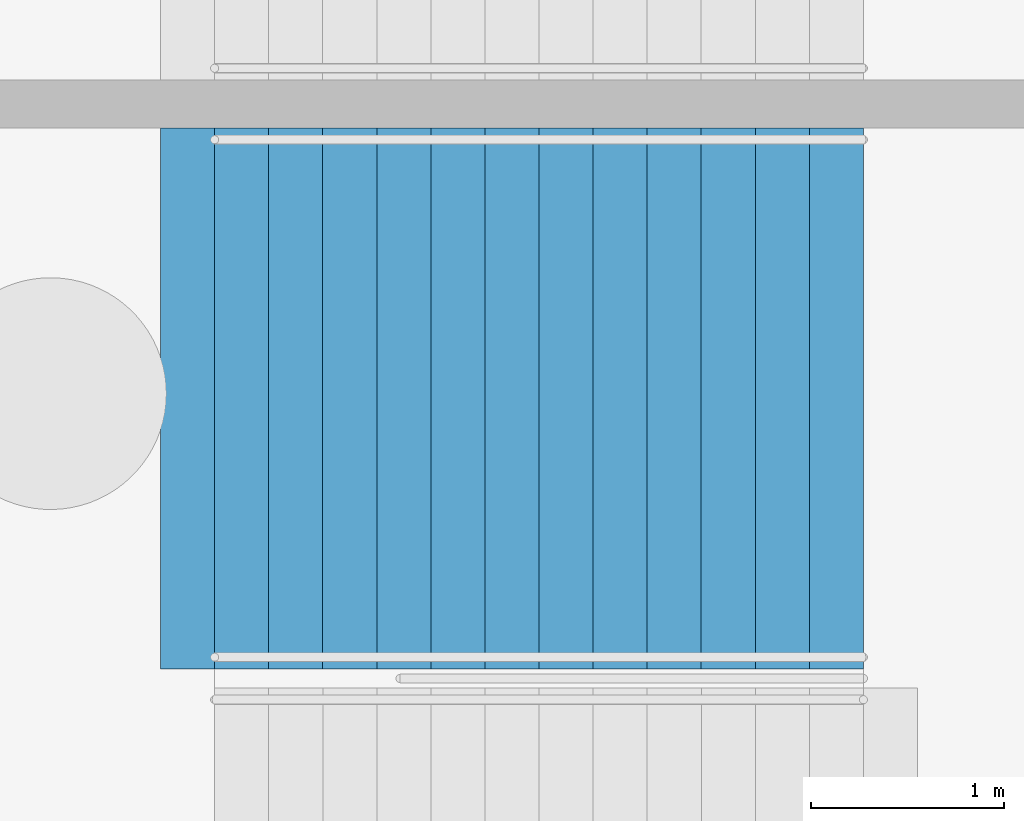
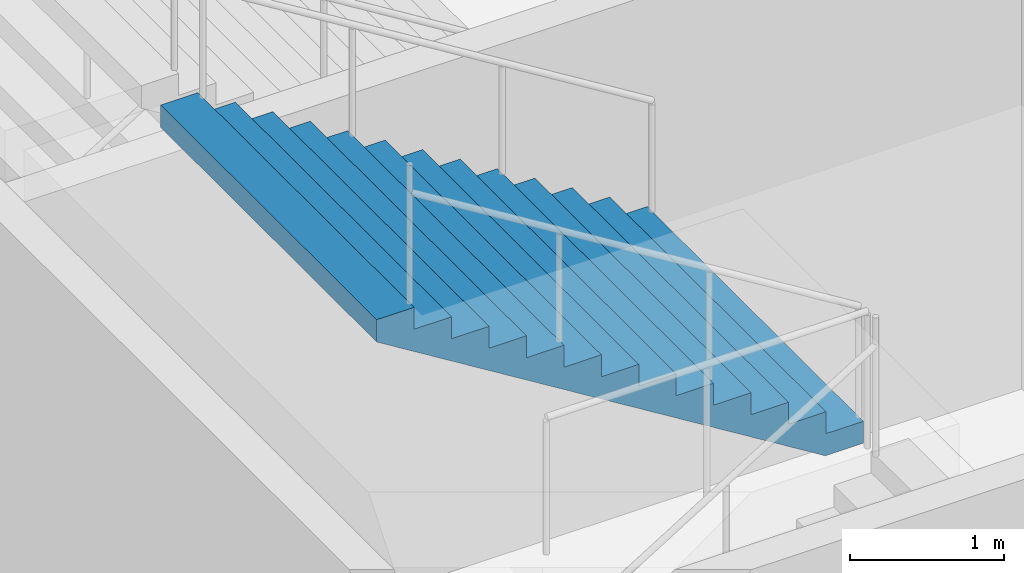
# One storey, part 107 of 115: 1 stair flight, 1 element without a shape of its own.
"""IFC4 building model written with IfcOpenShell, lengths in metres."""

from ifc_helpers import new_model, si_unit, direction, frame, origin, place, context, subcontext, project, spatial, faceted_brep, material, type_object, element, aggregate, save


model = new_model("IFC4")

# Units and contexts
model_context = context("Model", 3, precision=1e-05, world=origin(), true_north=direction((0.0, 1.0)))
body_context = subcontext(model_context, "Body", "Model", "MODEL_VIEW")
ifc_project = project(units=[si_unit("LENGTHUNIT", "METRE"), si_unit("AREAUNIT", "SQUARE_METRE"), si_unit("VOLUMEUNIT", "CUBIC_METRE"), si_unit("PLANEANGLEUNIT", "RADIAN"), si_unit("MASSUNIT", "GRAM", prefix="KILO")], contexts=[model_context])

# Site, building, storey
site_placement = place(None, origin())
site = spatial("IfcSite", under=ifc_project, at=site_placement, CompositionType="ELEMENT")
building_placement = place(site_placement, origin())
building = spatial("IfcBuilding", under=site, at=building_placement, Name="Ogive Plaza Stadium", CompositionType="ELEMENT")
storey_placement = place(building_placement, frame((0.0, 0.0, -4.5)))
storey = spatial("IfcBuildingStorey", under=building, at=storey_placement, Name="B1", CompositionType="ELEMENT", Elevation=-4.5)

# Stair, stair flight
ifc_material_1 = material(Name="Concrete C40/50", Category="concrete")
stair_type = type_object("IfcStairType", Name="Exit stair", PredefinedType="STRAIGHT_RUN_STAIR", material=ifc_material_1)
stair_placement = place(storey_placement, origin())
stair = element("IfcStair", 1, at=stair_placement, inside=storey, type_object=stair_type, Name="Exit stair ST02A B1 to L00", PredefinedType="STRAIGHT_RUN_STAIR")
ifc_material_2 = material(Name="Concrete C40/50", Category="concrete")
stair_flight_type = type_object("IfcStairFlightType", Name="Exit stair flight", PredefinedType="STRAIGHT", material=ifc_material_2)
stair_flight_placement = place(storey_placement, frame((79.7099609375, 35.97509765625, 2.25), z_axis=(0.0, 0.0, 1.0), x_axis=(-1.0, 0.0, 0.0)))
stair_flight = element("IfcStairFlight", 2, at=stair_flight_placement, type_object=stair_flight_type, Name="ST02A flight 2", NumberOfRisers=13, NumberOfTreads=12, PredefinedType="STRAIGHT", RiserHeight=0.173076923, TreadLength=0.28, context=body_context, shape_type="Brep", body=[
    faceted_brep([(0.28515625, -1.39990234375, 0.0), (3.639892578125, -1.39990234375, 2.07373046875), (3.639892578125, -1.39990234375, 2.25), (3.360107421875, -1.39990234375, 2.25), (3.360107421875, -1.39990234375, 2.076904296875), (3.080078125, -1.39990234375, 2.076904296875), (3.080078125, -1.39990234375, 1.90380859375), (2.800048828125, -1.39990234375, 1.90380859375), (2.800048828125, -1.39990234375, 1.730712890625), (2.52001953125, -1.39990234375, 1.730712890625), (2.52001953125, -1.39990234375, 1.5576171875), (2.239990234375, -1.39990234375, 1.5576171875), (2.239990234375, -1.39990234375, 1.384521484375), (1.9599609375, -1.39990234375, 1.384521484375), (1.9599609375, -1.39990234375, 1.21142578125), (1.679931640625, -1.39990234375, 1.21142578125), (1.679931640625, -1.39990234375, 1.03857421875), (1.39990234375, -1.39990234375, 1.03857421875), (1.39990234375, -1.39990234375, 0.865478515625), (1.1201171875, -1.39990234375, 0.865478515625), (1.1201171875, -1.39990234375, 0.6923828125), (0.840087890625, -1.39990234375, 0.6923828125), (0.840087890625, -1.39990234375, 0.519287109375), (0.56005859375, -1.39990234375, 0.519287109375), (0.56005859375, -1.39990234375, 0.34619140625), (0.280029296875, -1.39990234375, 0.34619140625), (0.280029296875, -1.39990234375, 0.173095703125), (0.0, -1.39990234375, 0.173095703125), (0.0, -1.39990234375, 0.0), (0.0, 1.39990234375, 0.0), (0.0, 1.39990234375, 0.173095703125), (0.280029296875, 1.39990234375, 0.173095703125), (0.280029296875, 1.39990234375, 0.34619140625), (0.56005859375, 1.39990234375, 0.34619140625), (0.56005859375, 1.39990234375, 0.519287109375), (0.840087890625, 1.39990234375, 0.519287109375), (0.840087890625, 1.39990234375, 0.6923828125), (1.1201171875, 1.39990234375, 0.6923828125), (1.1201171875, 1.39990234375, 0.865478515625), (1.39990234375, 1.39990234375, 0.865478515625), (1.39990234375, 1.39990234375, 1.03857421875), (1.679931640625, 1.39990234375, 1.03857421875), (1.679931640625, 1.39990234375, 1.21142578125), (1.9599609375, 1.39990234375, 1.21142578125), (1.9599609375, 1.39990234375, 1.384521484375), (2.239990234375, 1.39990234375, 1.384521484375), (2.239990234375, 1.39990234375, 1.5576171875), (2.52001953125, 1.39990234375, 1.5576171875), (2.52001953125, 1.39990234375, 1.730712890625), (2.800048828125, 1.39990234375, 1.730712890625), (2.800048828125, 1.39990234375, 1.90380859375), (3.080078125, 1.39990234375, 1.90380859375), (3.080078125, 1.39990234375, 2.076904296875), (3.360107421875, 1.39990234375, 2.076904296875), (3.360107421875, 1.39990234375, 2.25), (3.639892578125, 1.39990234375, 2.25), (3.639892578125, 1.39990234375, 2.07373046875), (0.28515625, 1.39990234375, 0.0), (0.28515625, -1.0888671875, 0.0), (3.639892578125, -1.0888671875, 2.07373046875), (0.28515625, -0.77783203125, 0.0), (3.639892578125, -0.77783203125, 2.07373046875), (0.28515625, -0.466796875, 0.0), (3.639892578125, -0.466796875, 2.07373046875), (0.28515625, -0.155517578125, 0.0), (3.639892578125, -0.155517578125, 2.07373046875), (0.28515625, 0.155517578125, 0.0), (3.639892578125, 0.155517578125, 2.07373046875), (0.28515625, 0.466796875, 0.0), (3.639892578125, 0.466796875, 2.07373046875), (0.28515625, 0.77783203125, 0.0), (3.639892578125, 0.77783203125, 2.07373046875), (0.28515625, 1.0888671875, 0.0), (3.639892578125, 1.0888671875, 2.07373046875), (3.639892578125, -1.0888671875, 2.25), (3.639892578125, -0.77783203125, 2.25), (3.639892578125, -0.466796875, 2.25), (3.639892578125, -0.155517578125, 2.25), (3.639892578125, 0.155517578125, 2.25), (3.639892578125, 0.466796875, 2.25), (3.639892578125, 0.77783203125, 2.25), (3.639892578125, 1.0888671875, 2.25), (3.360107421875, -1.0888671875, 2.25), (3.360107421875, -0.77783203125, 2.25), (3.360107421875, -0.466796875, 2.25), (3.360107421875, -0.155517578125, 2.25), (3.360107421875, 0.155517578125, 2.25), (3.360107421875, 0.466796875, 2.25), (3.360107421875, 0.77783203125, 2.25), (3.360107421875, 1.0888671875, 2.25), (3.360107421875, -1.0888671875, 2.076904296875), (3.360107421875, -0.77783203125, 2.076904296875), (3.360107421875, -0.466796875, 2.076904296875), (3.360107421875, -0.155517578125, 2.076904296875), (3.360107421875, 0.155517578125, 2.076904296875), (3.360107421875, 0.466796875, 2.076904296875), (3.360107421875, 0.77783203125, 2.076904296875), (3.360107421875, 1.0888671875, 2.076904296875), (3.080078125, -1.0888671875, 2.076904296875), (3.080078125, -0.77783203125, 2.076904296875), (3.080078125, -0.466796875, 2.076904296875), (3.080078125, -0.155517578125, 2.076904296875), (3.080078125, 0.155517578125, 2.076904296875), (3.080078125, 0.466796875, 2.076904296875), (3.080078125, 0.77783203125, 2.076904296875), (3.080078125, 1.0888671875, 2.076904296875), (3.080078125, -1.0888671875, 1.90380859375), (3.080078125, -0.77783203125, 1.90380859375), (3.080078125, -0.466796875, 1.90380859375), (3.080078125, -0.155517578125, 1.90380859375), (3.080078125, 0.155517578125, 1.90380859375), (3.080078125, 0.466796875, 1.90380859375), (3.080078125, 0.77783203125, 1.90380859375), (3.080078125, 1.0888671875, 1.90380859375), (2.800048828125, -1.0888671875, 1.90380859375), (2.800048828125, -0.77783203125, 1.90380859375), (2.800048828125, -0.466796875, 1.90380859375), (2.800048828125, -0.155517578125, 1.90380859375), (2.800048828125, 0.155517578125, 1.90380859375), (2.800048828125, 0.466796875, 1.90380859375), (2.800048828125, 0.77783203125, 1.90380859375), (2.800048828125, 1.0888671875, 1.90380859375), (2.800048828125, -1.0888671875, 1.730712890625), (2.800048828125, -0.77783203125, 1.730712890625), (2.800048828125, -0.466796875, 1.730712890625), (2.800048828125, -0.155517578125, 1.730712890625), (2.800048828125, 0.155517578125, 1.730712890625), (2.800048828125, 0.466796875, 1.730712890625), (2.800048828125, 0.77783203125, 1.730712890625), (2.800048828125, 1.0888671875, 1.730712890625), (2.52001953125, -1.0888671875, 1.730712890625), (2.52001953125, -0.77783203125, 1.730712890625), (2.52001953125, -0.466796875, 1.730712890625), (2.52001953125, -0.155517578125, 1.730712890625), (2.52001953125, 0.155517578125, 1.730712890625), (2.52001953125, 0.466796875, 1.730712890625), (2.52001953125, 0.77783203125, 1.730712890625), (2.52001953125, 1.0888671875, 1.730712890625), (2.52001953125, -1.0888671875, 1.5576171875), (2.52001953125, -0.77783203125, 1.5576171875), (2.52001953125, -0.466796875, 1.5576171875), (2.52001953125, -0.155517578125, 1.5576171875), (2.52001953125, 0.155517578125, 1.5576171875), (2.52001953125, 0.466796875, 1.5576171875), (2.52001953125, 0.77783203125, 1.5576171875), (2.52001953125, 1.0888671875, 1.5576171875), (2.239990234375, -1.0888671875, 1.5576171875), (2.239990234375, -0.77783203125, 1.5576171875), (2.239990234375, -0.466796875, 1.5576171875), (2.239990234375, -0.155517578125, 1.5576171875), (2.239990234375, 0.155517578125, 1.5576171875), (2.239990234375, 0.466796875, 1.5576171875), (2.239990234375, 0.77783203125, 1.5576171875), (2.239990234375, 1.0888671875, 1.5576171875), (2.239990234375, -1.0888671875, 1.384521484375), (2.239990234375, -0.77783203125, 1.384521484375), (2.239990234375, -0.466796875, 1.384521484375), (2.239990234375, -0.155517578125, 1.384521484375), (2.239990234375, 0.155517578125, 1.384521484375), (2.239990234375, 0.466796875, 1.384521484375), (2.239990234375, 0.77783203125, 1.384521484375), (2.239990234375, 1.0888671875, 1.384521484375), (1.9599609375, -1.0888671875, 1.384521484375), (1.9599609375, -0.77783203125, 1.384521484375), (1.9599609375, -0.466796875, 1.384521484375), (1.9599609375, -0.155517578125, 1.384521484375), (1.9599609375, 0.155517578125, 1.384521484375), (1.9599609375, 0.466796875, 1.384521484375), (1.9599609375, 0.77783203125, 1.384521484375), (1.9599609375, 1.0888671875, 1.384521484375), (1.9599609375, -1.0888671875, 1.21142578125), (1.9599609375, -0.77783203125, 1.21142578125), (1.9599609375, -0.466796875, 1.21142578125), (1.9599609375, -0.155517578125, 1.21142578125), (1.9599609375, 0.155517578125, 1.21142578125), (1.9599609375, 0.466796875, 1.21142578125), (1.9599609375, 0.77783203125, 1.21142578125), (1.9599609375, 1.0888671875, 1.21142578125), (1.679931640625, -1.0888671875, 1.21142578125), (1.679931640625, -0.77783203125, 1.21142578125), (1.679931640625, -0.466796875, 1.21142578125), (1.679931640625, -0.155517578125, 1.21142578125), (1.679931640625, 0.155517578125, 1.21142578125), (1.679931640625, 0.466796875, 1.21142578125), (1.679931640625, 0.77783203125, 1.21142578125), (1.679931640625, 1.0888671875, 1.21142578125), (1.679931640625, -1.0888671875, 1.03857421875), (1.679931640625, -0.77783203125, 1.03857421875), (1.679931640625, -0.466796875, 1.03857421875), (1.679931640625, -0.155517578125, 1.03857421875), (1.679931640625, 0.155517578125, 1.03857421875), (1.679931640625, 0.466796875, 1.03857421875), (1.679931640625, 0.77783203125, 1.03857421875), (1.679931640625, 1.0888671875, 1.03857421875), (1.39990234375, -1.0888671875, 1.03857421875), (1.39990234375, -0.77783203125, 1.03857421875), (1.39990234375, -0.466796875, 1.03857421875), (1.39990234375, -0.155517578125, 1.03857421875), (1.39990234375, 0.155517578125, 1.03857421875), (1.39990234375, 0.466796875, 1.03857421875), (1.39990234375, 0.77783203125, 1.03857421875), (1.39990234375, 1.0888671875, 1.03857421875), (1.39990234375, -1.0888671875, 0.865478515625), (1.39990234375, -0.77783203125, 0.865478515625), (1.39990234375, -0.466796875, 0.865478515625), (1.39990234375, -0.155517578125, 0.865478515625), (1.39990234375, 0.155517578125, 0.865478515625), (1.39990234375, 0.466796875, 0.865478515625), (1.39990234375, 0.77783203125, 0.865478515625), (1.39990234375, 1.0888671875, 0.865478515625), (1.1201171875, -1.0888671875, 0.865478515625), (1.1201171875, -0.77783203125, 0.865478515625), (1.1201171875, -0.466796875, 0.865478515625), (1.1201171875, -0.155517578125, 0.865478515625), (1.1201171875, 0.155517578125, 0.865478515625), (1.1201171875, 0.466796875, 0.865478515625), (1.1201171875, 0.77783203125, 0.865478515625), (1.1201171875, 1.0888671875, 0.865478515625), (1.1201171875, -1.0888671875, 0.6923828125), (1.1201171875, -0.77783203125, 0.6923828125), (1.1201171875, -0.466796875, 0.6923828125), (1.1201171875, -0.155517578125, 0.6923828125), (1.1201171875, 0.155517578125, 0.6923828125), (1.1201171875, 0.466796875, 0.6923828125), (1.1201171875, 0.77783203125, 0.6923828125), (1.1201171875, 1.0888671875, 0.6923828125), (0.840087890625, -1.0888671875, 0.6923828125), (0.840087890625, -0.77783203125, 0.6923828125), (0.840087890625, -0.466796875, 0.6923828125), (0.840087890625, -0.155517578125, 0.6923828125), (0.840087890625, 0.155517578125, 0.6923828125), (0.840087890625, 0.466796875, 0.6923828125), (0.840087890625, 0.77783203125, 0.6923828125), (0.840087890625, 1.0888671875, 0.6923828125), (0.840087890625, -1.0888671875, 0.519287109375), (0.840087890625, -0.77783203125, 0.519287109375), (0.840087890625, -0.466796875, 0.519287109375), (0.840087890625, -0.155517578125, 0.519287109375), (0.840087890625, 0.155517578125, 0.519287109375), (0.840087890625, 0.466796875, 0.519287109375), (0.840087890625, 0.77783203125, 0.519287109375), (0.840087890625, 1.0888671875, 0.519287109375), (0.56005859375, -1.0888671875, 0.519287109375), (0.56005859375, -0.77783203125, 0.519287109375), (0.56005859375, -0.466796875, 0.519287109375), (0.56005859375, -0.155517578125, 0.519287109375), (0.56005859375, 0.155517578125, 0.519287109375), (0.56005859375, 0.466796875, 0.519287109375), (0.56005859375, 0.77783203125, 0.519287109375), (0.56005859375, 1.0888671875, 0.519287109375), (0.56005859375, -1.0888671875, 0.34619140625), (0.56005859375, -0.77783203125, 0.34619140625), (0.56005859375, -0.466796875, 0.34619140625), (0.56005859375, -0.155517578125, 0.34619140625), (0.56005859375, 0.155517578125, 0.34619140625), (0.56005859375, 0.466796875, 0.34619140625), (0.56005859375, 0.77783203125, 0.34619140625), (0.56005859375, 1.0888671875, 0.34619140625), (0.280029296875, -1.0888671875, 0.34619140625), (0.280029296875, -0.77783203125, 0.34619140625), (0.280029296875, -0.466796875, 0.34619140625), (0.280029296875, -0.155517578125, 0.34619140625), (0.280029296875, 0.155517578125, 0.34619140625), (0.280029296875, 0.466796875, 0.34619140625), (0.280029296875, 0.77783203125, 0.34619140625), (0.280029296875, 1.0888671875, 0.34619140625), (0.280029296875, -1.0888671875, 0.173095703125), (0.280029296875, -0.77783203125, 0.173095703125), (0.280029296875, -0.466796875, 0.173095703125), (0.280029296875, -0.155517578125, 0.173095703125), (0.280029296875, 0.155517578125, 0.173095703125), (0.280029296875, 0.466796875, 0.173095703125), (0.280029296875, 0.77783203125, 0.173095703125), (0.280029296875, 1.0888671875, 0.173095703125), (0.0, -1.0888671875, 0.173095703125), (0.0, -0.77783203125, 0.173095703125), (0.0, -0.466796875, 0.173095703125), (0.0, -0.155517578125, 0.173095703125), (0.0, 0.155517578125, 0.173095703125), (0.0, 0.466796875, 0.173095703125), (0.0, 0.77783203125, 0.173095703125), (0.0, 1.0888671875, 0.173095703125), (0.0, -1.0888671875, 0.0), (0.0, -0.77783203125, 0.0), (0.0, -0.466796875, 0.0), (0.0, -0.155517578125, 0.0), (0.0, 0.155517578125, 0.0), (0.0, 0.466796875, 0.0), (0.0, 0.77783203125, 0.0), (0.0, 1.0888671875, 0.0)], [[[0, 1, 2, 3, 4, 5, 6, 7, 8, 9, 10, 11, 12, 13, 14, 15, 16, 17, 18, 19, 20, 21, 22, 23, 24, 25, 26, 27, 28]], [[29, 30, 31, 32, 33, 34, 35, 36, 37, 38, 39, 40, 41, 42, 43, 44, 45, 46, 47, 48, 49, 50, 51, 52, 53, 54, 55, 56, 57]], [[0, 58, 59, 1]], [[58, 60, 61, 59]], [[60, 62, 63, 61]], [[62, 64, 65, 63]], [[64, 66, 67, 65]], [[66, 68, 69, 67]], [[68, 70, 71, 69]], [[70, 72, 73, 71]], [[72, 57, 56, 73]], [[1, 59, 74, 2]], [[59, 61, 75, 74]], [[61, 63, 76, 75]], [[63, 65, 77, 76]], [[65, 67, 78, 77]], [[67, 69, 79, 78]], [[69, 71, 80, 79]], [[71, 73, 81, 80]], [[73, 56, 55, 81]], [[2, 74, 82, 3]], [[74, 75, 83, 82]], [[75, 76, 84, 83]], [[76, 77, 85, 84]], [[77, 78, 86, 85]], [[78, 79, 87, 86]], [[79, 80, 88, 87]], [[80, 81, 89, 88]], [[81, 55, 54, 89]], [[3, 82, 90, 4]], [[82, 83, 91, 90]], [[83, 84, 92, 91]], [[84, 85, 93, 92]], [[85, 86, 94, 93]], [[86, 87, 95, 94]], [[87, 88, 96, 95]], [[88, 89, 97, 96]], [[89, 54, 53, 97]], [[4, 90, 98, 5]], [[90, 91, 99, 98]], [[91, 92, 100, 99]], [[92, 93, 101, 100]], [[93, 94, 102, 101]], [[94, 95, 103, 102]], [[95, 96, 104, 103]], [[96, 97, 105, 104]], [[97, 53, 52, 105]], [[5, 98, 106, 6]], [[98, 99, 107, 106]], [[99, 100, 108, 107]], [[100, 101, 109, 108]], [[101, 102, 110, 109]], [[102, 103, 111, 110]], [[103, 104, 112, 111]], [[104, 105, 113, 112]], [[105, 52, 51, 113]], [[6, 106, 114, 7]], [[106, 107, 115, 114]], [[107, 108, 116, 115]], [[108, 109, 117, 116]], [[109, 110, 118, 117]], [[110, 111, 119, 118]], [[111, 112, 120, 119]], [[112, 113, 121, 120]], [[113, 51, 50, 121]], [[7, 114, 122, 8]], [[114, 115, 123, 122]], [[115, 116, 124, 123]], [[116, 117, 125, 124]], [[117, 118, 126, 125]], [[118, 119, 127, 126]], [[119, 120, 128, 127]], [[120, 121, 129, 128]], [[121, 50, 49, 129]], [[8, 122, 130, 9]], [[122, 123, 131, 130]], [[123, 124, 132, 131]], [[124, 125, 133, 132]], [[125, 126, 134, 133]], [[126, 127, 135, 134]], [[127, 128, 136, 135]], [[128, 129, 137, 136]], [[129, 49, 48, 137]], [[9, 130, 138, 10]], [[130, 131, 139, 138]], [[131, 132, 140, 139]], [[132, 133, 141, 140]], [[133, 134, 142, 141]], [[134, 135, 143, 142]], [[135, 136, 144, 143]], [[136, 137, 145, 144]], [[137, 48, 47, 145]], [[10, 138, 146, 11]], [[138, 139, 147, 146]], [[139, 140, 148, 147]], [[140, 141, 149, 148]], [[141, 142, 150, 149]], [[142, 143, 151, 150]], [[143, 144, 152, 151]], [[144, 145, 153, 152]], [[145, 47, 46, 153]], [[11, 146, 154, 12]], [[146, 147, 155, 154]], [[147, 148, 156, 155]], [[148, 149, 157, 156]], [[149, 150, 158, 157]], [[150, 151, 159, 158]], [[151, 152, 160, 159]], [[152, 153, 161, 160]], [[153, 46, 45, 161]], [[12, 154, 162, 13]], [[154, 155, 163, 162]], [[155, 156, 164, 163]], [[156, 157, 165, 164]], [[157, 158, 166, 165]], [[158, 159, 167, 166]], [[159, 160, 168, 167]], [[160, 161, 169, 168]], [[161, 45, 44, 169]], [[13, 162, 170, 14]], [[162, 163, 171, 170]], [[163, 164, 172, 171]], [[164, 165, 173, 172]], [[165, 166, 174, 173]], [[166, 167, 175, 174]], [[167, 168, 176, 175]], [[168, 169, 177, 176]], [[169, 44, 43, 177]], [[14, 170, 178, 15]], [[170, 171, 179, 178]], [[171, 172, 180, 179]], [[172, 173, 181, 180]], [[173, 174, 182, 181]], [[174, 175, 183, 182]], [[175, 176, 184, 183]], [[176, 177, 185, 184]], [[177, 43, 42, 185]], [[15, 178, 186, 16]], [[178, 179, 187, 186]], [[179, 180, 188, 187]], [[180, 181, 189, 188]], [[181, 182, 190, 189]], [[182, 183, 191, 190]], [[183, 184, 192, 191]], [[184, 185, 193, 192]], [[185, 42, 41, 193]], [[16, 186, 194, 17]], [[186, 187, 195, 194]], [[187, 188, 196, 195]], [[188, 189, 197, 196]], [[189, 190, 198, 197]], [[190, 191, 199, 198]], [[191, 192, 200, 199]], [[192, 193, 201, 200]], [[193, 41, 40, 201]], [[17, 194, 202, 18]], [[194, 195, 203, 202]], [[195, 196, 204, 203]], [[196, 197, 205, 204]], [[197, 198, 206, 205]], [[198, 199, 207, 206]], [[199, 200, 208, 207]], [[200, 201, 209, 208]], [[201, 40, 39, 209]], [[18, 202, 210, 19]], [[202, 203, 211, 210]], [[203, 204, 212, 211]], [[204, 205, 213, 212]], [[205, 206, 214, 213]], [[206, 207, 215, 214]], [[207, 208, 216, 215]], [[208, 209, 217, 216]], [[209, 39, 38, 217]], [[19, 210, 218, 20]], [[210, 211, 219, 218]], [[211, 212, 220, 219]], [[212, 213, 221, 220]], [[213, 214, 222, 221]], [[214, 215, 223, 222]], [[215, 216, 224, 223]], [[216, 217, 225, 224]], [[217, 38, 37, 225]], [[20, 218, 226, 21]], [[218, 219, 227, 226]], [[219, 220, 228, 227]], [[220, 221, 229, 228]], [[221, 222, 230, 229]], [[222, 223, 231, 230]], [[223, 224, 232, 231]], [[224, 225, 233, 232]], [[225, 37, 36, 233]], [[21, 226, 234, 22]], [[226, 227, 235, 234]], [[227, 228, 236, 235]], [[228, 229, 237, 236]], [[229, 230, 238, 237]], [[230, 231, 239, 238]], [[231, 232, 240, 239]], [[232, 233, 241, 240]], [[233, 36, 35, 241]], [[22, 234, 242, 23]], [[234, 235, 243, 242]], [[235, 236, 244, 243]], [[236, 237, 245, 244]], [[237, 238, 246, 245]], [[238, 239, 247, 246]], [[239, 240, 248, 247]], [[240, 241, 249, 248]], [[241, 35, 34, 249]], [[23, 242, 250, 24]], [[242, 243, 251, 250]], [[243, 244, 252, 251]], [[244, 245, 253, 252]], [[245, 246, 254, 253]], [[246, 247, 255, 254]], [[247, 248, 256, 255]], [[248, 249, 257, 256]], [[249, 34, 33, 257]], [[24, 250, 258, 25]], [[250, 251, 259, 258]], [[251, 252, 260, 259]], [[252, 253, 261, 260]], [[253, 254, 262, 261]], [[254, 255, 263, 262]], [[255, 256, 264, 263]], [[256, 257, 265, 264]], [[257, 33, 32, 265]], [[25, 258, 266, 26]], [[258, 259, 267, 266]], [[259, 260, 268, 267]], [[260, 261, 269, 268]], [[261, 262, 270, 269]], [[262, 263, 271, 270]], [[263, 264, 272, 271]], [[264, 265, 273, 272]], [[265, 32, 31, 273]], [[26, 266, 274, 27]], [[266, 267, 275, 274]], [[267, 268, 276, 275]], [[268, 269, 277, 276]], [[269, 270, 278, 277]], [[270, 271, 279, 278]], [[271, 272, 280, 279]], [[272, 273, 281, 280]], [[273, 31, 30, 281]], [[27, 274, 282, 28]], [[274, 275, 283, 282]], [[275, 276, 284, 283]], [[276, 277, 285, 284]], [[277, 278, 286, 285]], [[278, 279, 287, 286]], [[279, 280, 288, 287]], [[280, 281, 289, 288]], [[281, 30, 29, 289]], [[28, 282, 58, 0]], [[282, 283, 60, 58]], [[283, 284, 62, 60]], [[284, 285, 64, 62]], [[285, 286, 66, 64]], [[286, 287, 68, 66]], [[287, 288, 70, 68]], [[288, 289, 72, 70]], [[289, 29, 57, 72]]]),
])
aggregate(stair, [stair_flight])

save(model, "model.ifc")
